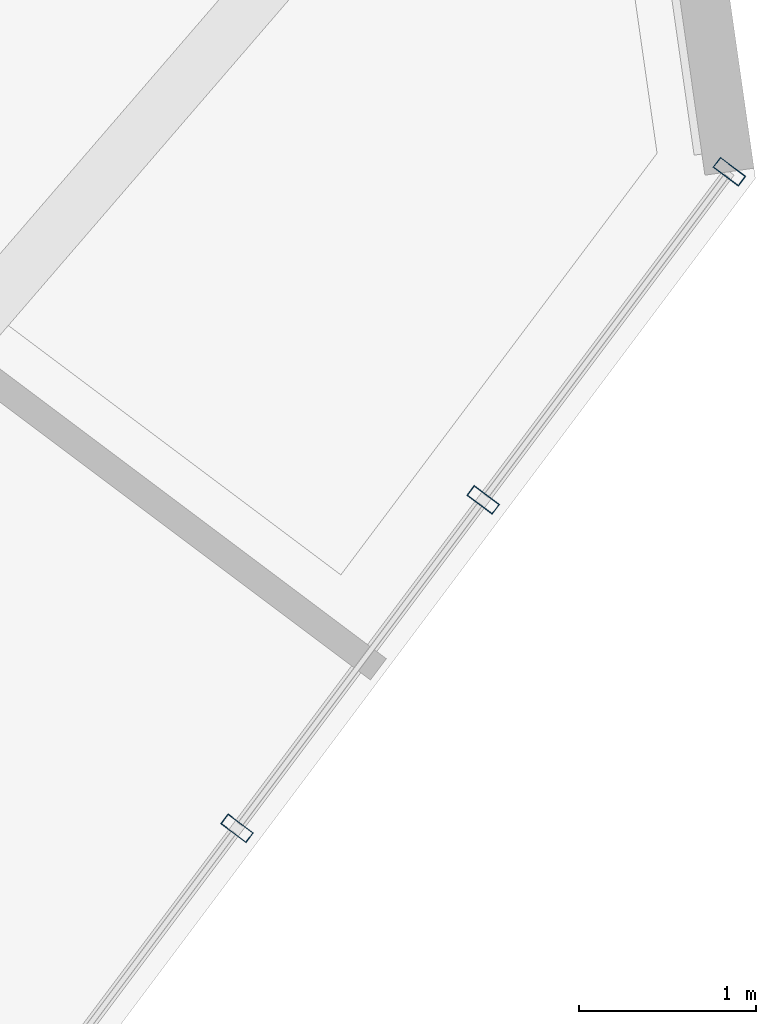
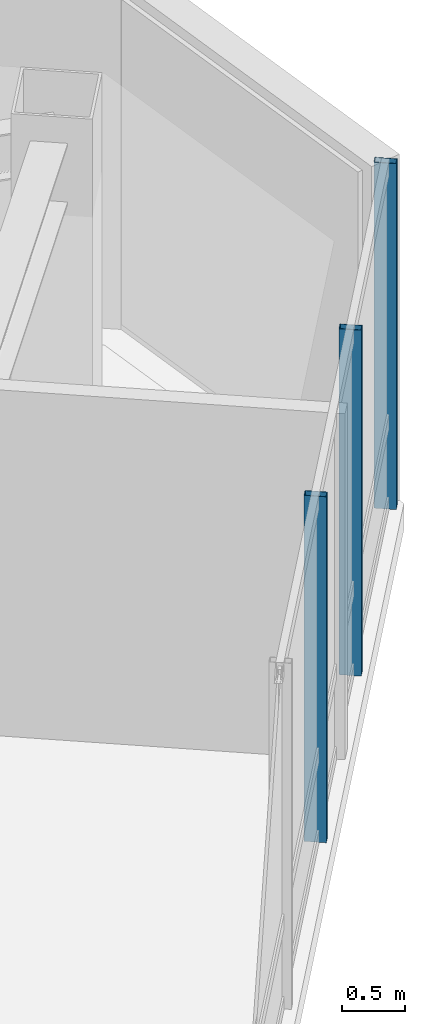
# One storey, part 13 of 22: 3 members, 1 element without a shape of its own.
"""IFC4 building model written with IfcOpenShell, lengths in metres."""

from ifc_helpers import new_model, si_unit, direction, frame, origin, origin_2d, place, context, subcontext, project, spatial, hollow_rectangle, extrude, material, layer, layer_set, material_profile, profile_set, type_object, element, aggregate, save


model = new_model("IFC4")

# Units and contexts
model_context = context("Model", 3, precision=1e-05, world=origin(), true_north=direction((0.0, 1.0)))
body_context = subcontext(model_context, "Body", "Model", "MODEL_VIEW")
ifc_project = project(units=[si_unit("LENGTHUNIT", "METRE"), si_unit("AREAUNIT", "SQUARE_METRE"), si_unit("VOLUMEUNIT", "CUBIC_METRE"), si_unit("PLANEANGLEUNIT", "RADIAN"), si_unit("MASSUNIT", "GRAM", prefix="KILO")], contexts=[model_context])

# Site, building, storey
site_placement = place(None, origin())
site = spatial("IfcSite", under=ifc_project, at=site_placement, CompositionType="ELEMENT")
building_placement = place(site_placement, origin())
building = spatial("IfcBuilding", under=site, at=building_placement, Name="Hatsunagi Terrace Concourse", CompositionType="ELEMENT")
storey_placement = place(building_placement, frame((0.0, 0.0, 243.14990234375)))
storey = spatial("IfcBuildingStorey", under=building, at=storey_placement, Name="L64", CompositionType="ELEMENT", Elevation=243.14990234375)

# Curtain wall, members
ifc_material_1 = material(Name="Anodised Aluminium Alloy 6063-T5", Category="aluminium")
ifc_layer = layer(ifc_material_1, 0.199951171875)
ifc_layer_set = layer_set([ifc_layer], Name="OfficeZone2_CW04")
curtain_wall_type = type_object("IfcCurtainWallType", Name="OfficeZone2_CW04", PredefinedType="NOTDEFINED", material=ifc_layer_set)
curtain_wall_placement = place(storey_placement, origin())
curtain_wall = element("IfcCurtainWall", 1, at=curtain_wall_placement, inside=storey, type_object=curtain_wall_type, Name="Unitised Curtain Wall CW-04 CW-L64-03", PredefinedType="NOTDEFINED")
ifc_material_2 = material(Name="Anodised Aluminium Alloy 6063-T5", Category="aluminium")
ifc_material_profile = material_profile(ifc_material_2, hollow_rectangle(XDim=0.070068359375, YDim=0.179931640625, WallThickness=0.00390625, at=origin_2d()), Name="ALU-MUL-180x70x4")
ifc_profile_set = profile_set([ifc_material_profile], Name="Anodised Aluminium Alloy 6063-T5")
member_type = type_object("IfcMemberType", Name="CurtainWallMullion_180x70", PredefinedType="MULLION", material=ifc_profile_set)
member_1_placement = place(storey_placement, frame((53.492919921875, 31.35791015625, 0.0), z_axis=(0.0, 0.0, 1.0), x_axis=(-0.599969314634, -0.800023013105, 0.0)))
member_1 = element("IfcMember", 2, at=member_1_placement, type_object=member_type, Name="Curtain Wall Mullion MUL-02", PredefinedType="MULLION", context=body_context, shape_type="SweptSolid", body=[
    extrude(hollow_rectangle(XDim=0.070068359375, YDim=0.179931640625, WallThickness=0.00390625, at=origin_2d()), origin(), (0.0, 0.0, 1.0), 3.35009765625),
])
member_2_placement = place(storey_placement, frame((52.10107421875, 29.501953125, 0.0), z_axis=(0.0, 0.0, 1.0), x_axis=(-0.599969314634, -0.800023013105, 0.0)))
member_2 = element("IfcMember", 3, at=member_2_placement, type_object=member_type, Name="Curtain Wall Mullion MUL-02", PredefinedType="MULLION", context=body_context, shape_type="SweptSolid", body=[
    extrude(hollow_rectangle(XDim=0.070068359375, YDim=0.179931640625, WallThickness=0.00390625, at=origin_2d()), origin(), (0.0, 0.0, 1.0), 3.35009765625),
])
member_3_placement = place(storey_placement, frame((50.708984375, 27.64501953125, 0.0), z_axis=(0.0, 0.0, 1.0), x_axis=(-0.599969314634, -0.800023013105, 0.0)))
member_3 = element("IfcMember", 4, at=member_3_placement, type_object=member_type, Name="Curtain Wall Mullion MUL-02", PredefinedType="MULLION", context=body_context, shape_type="SweptSolid", body=[
    extrude(hollow_rectangle(XDim=0.070068359375, YDim=0.179931640625, WallThickness=0.00390625, at=origin_2d()), origin(), (0.0, 0.0, 1.0), 3.35009765625),
])
aggregate(curtain_wall, [member_1, member_2, member_3])

save(model, "model.ifc")
